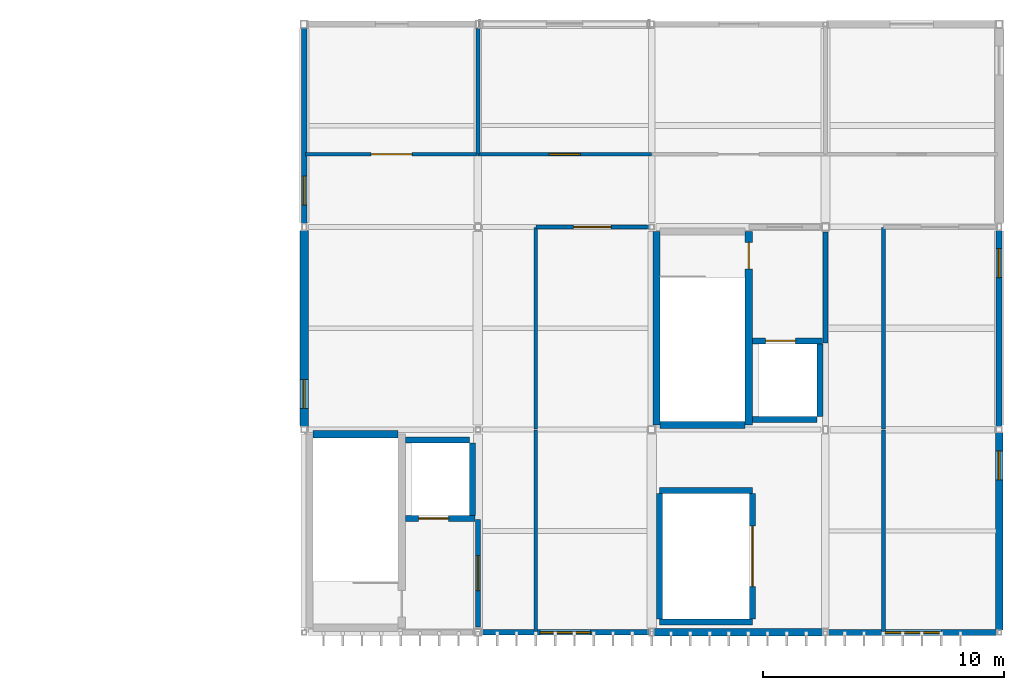
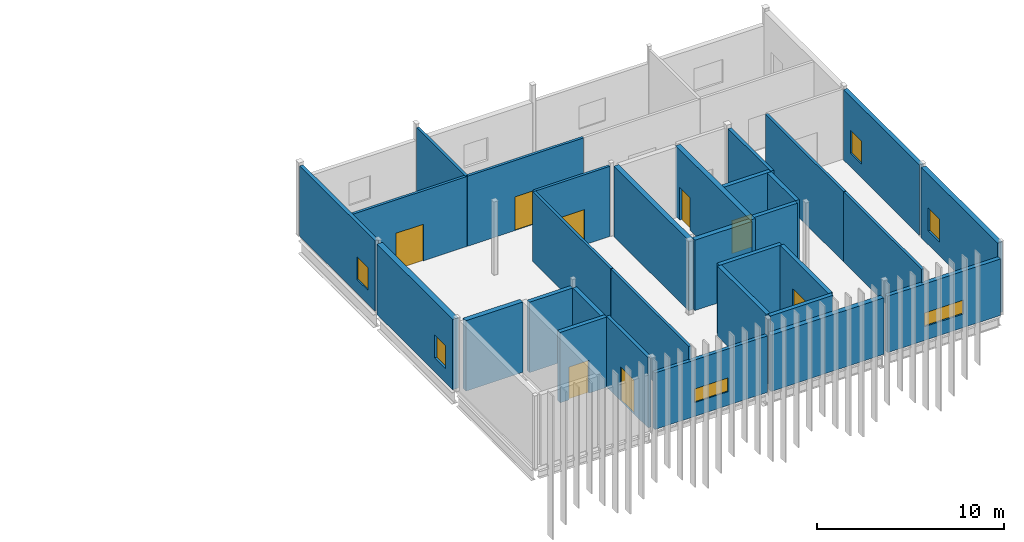
# One storey, part 21 of 27: 31 walls, 8 doors, 6 windows, 14 openings.
"""IFC4 building model written with IfcOpenShell, lengths in metres."""

from ifc_helpers import new_model, si_unit, direction, frame, frame_2d, origin, place, context, subcontext, project, spatial, rectangle, extrude, material, layer, layer_set, type_object, element, fill, save


model = new_model("IFC4")

# Units and contexts
model_context = context("Model", 3, precision=1e-05, world=origin(), true_north=direction((0.0, 1.0)))
body_context = subcontext(model_context, "Body", "Model", "MODEL_VIEW")
ifc_project = project(units=[si_unit("LENGTHUNIT", "METRE"), si_unit("AREAUNIT", "SQUARE_METRE"), si_unit("VOLUMEUNIT", "CUBIC_METRE"), si_unit("PLANEANGLEUNIT", "RADIAN"), si_unit("MASSUNIT", "GRAM", prefix="KILO")], contexts=[model_context])

# Site, building, storey
site_placement = place(None, origin())
site = spatial("IfcSite", under=ifc_project, at=site_placement, CompositionType="ELEMENT")
building_placement = place(site_placement, origin())
building = spatial("IfcBuilding", under=site, at=building_placement, Name="Calvrana Isthmian Art Gallery", CompositionType="ELEMENT")
storey_placement = place(building_placement, frame((0.0, 0.0, 24.60009765625)))
storey = spatial("IfcBuildingStorey", under=building, at=storey_placement, Name="L05", CompositionType="ELEMENT", Elevation=24.60009765625)

# Walls
ifc_material_1 = material(Name="Concrete C40/50", Category="concrete")
ifc_layer_1 = layer(ifc_material_1, 0.300048828125, Name="Concrete C40/50")
ifc_layer_set_1 = layer_set([ifc_layer_1], Name="Concrete C40/50")
wall_type_1 = type_object("IfcWallType", Name="CW-SHAFT-300", PredefinedType="SHEAR", material=ifc_layer_set_1)
wall_1_placement = place(storey_placement, frame((113.169921875, 29.81005859375, 0.0), z_axis=(0.0, 0.0, 1.0), x_axis=(1.0, 0.0, 0.0)))
element("IfcWall", 1, at=wall_1_placement, inside=storey, type_object=wall_type_1, Name="Core C3 shear wall N L05", PredefinedType="SHEAR", context=body_context, shape_type="SweptSolid", body=[
    extrude(rectangle(XDim=3.52001953125, YDim=0.300048828125, at=frame_2d((1.760009765625, 0.0))), origin(), (0.0, 0.0, 1.0), 4.599853515625),
])
wall_2_placement = place(storey_placement, frame((127.39990234375, 30.18994140625, 0.0), z_axis=(0.0, 0.0, 1.0), x_axis=(0.0, 1.0, 0.0)))
element("IfcWall", 2, at=wall_2_placement, inside=storey, type_object=wall_type_1, Name="Core C4 shear wall W L05", PredefinedType="SHEAR", context=body_context, shape_type="SweptSolid", body=[
    extrude(rectangle(XDim=8.02001953125, YDim=0.300048828125, at=frame_2d((4.010009765625, 0.0))), origin(), (0.0, 0.0, 1.0), 4.599853515625),
])

# Wall, opening, door
wall_3_placement = place(storey_placement, frame((131.219970703125, 30.18994140625, 0.0), z_axis=(0.0, 0.0, 1.0), x_axis=(0.0, 1.0, 0.0)))
wall_3 = element("IfcWall", 3, at=wall_3_placement, inside=storey, type_object=wall_type_1, Name="Core C4 shear wall E L05", PredefinedType="SHEAR", context=body_context, shape_type="SweptSolid", body=[
    extrude(rectangle(XDim=8.02001953125, YDim=0.300048828125, at=frame_2d((4.010009765625, 0.0))), origin(), (0.0, 0.0, 1.0), 4.599853515625),
])
opening_1_placement = place(wall_3_placement, frame((6.469970703125, 0.0, 0.0)))
opening_1 = element("IfcOpeningElement", 4, at=opening_1_placement, cuts=wall_3, Name="Opening D-154", PredefinedType="OPENING", context=body_context, shape_type="SweptSolid", body=[
    extrude(rectangle(XDim=1.10009765625, YDim=2.14990234375, at=frame_2d((0.550048828125, 1.074951171875))), frame((0.0, 0.16015625, 0.0), z_axis=(0.0, -1.0, 0.0), x_axis=(1.0, 0.0, 0.0)), (0.0, 0.0, 1.0), 0.320556640625),
])
ifc_material_2 = material(Name="Steel ASTM A572 Gr 50", Category="steel")
door_type_1 = type_object("IfcDoorType", Name="DR-FIRE-1100", OperationType="NOTDEFINED", PredefinedType="DOOR", material=ifc_material_2)
door_1_placement = place(opening_1_placement, origin())
door_1 = element("IfcDoor", 5, at=door_1_placement, inside=storey, type_object=door_type_1, Name="Stair ST-4 fire door L05", OperationType="SINGLE_SWING_RIGHT", OverallHeight=2.14990234375, OverallWidth=1.10009765625, PredefinedType="DOOR", context=body_context, shape_type="SweptSolid", body=[
    extrude(rectangle(XDim=1.10009765625, YDim=2.14990234375, at=frame_2d((0.550048828125, 1.074951171875))), frame((0.0, 0.02490234375, 0.0), z_axis=(0.0, -1.0, 0.0), x_axis=(1.0, 0.0, 0.0)), (0.0, 0.0, 1.0), 0.050048828125),
])
fill(opening_1, door_1)

# Wall
wall_4_placement = place(storey_placement, frame((127.550048828125, 30.18994140625, 0.0), z_axis=(0.0, 0.0, 1.0), x_axis=(1.0, 0.0, 0.0)))
element("IfcWall", 6, at=wall_4_placement, inside=storey, type_object=wall_type_1, Name="Core C4 shear wall S L05", PredefinedType="SHEAR", context=body_context, shape_type="SweptSolid", body=[
    extrude(rectangle(XDim=3.52001953125, YDim=0.300048828125, at=frame_2d((1.760009765625, 0.0))), origin(), (0.0, 0.0, 1.0), 4.599853515625),
])

# Wall, opening, window
ifc_material_3 = material(Name="Precast concrete C40/50", Category="concrete")
ifc_layer_2 = layer(ifc_material_3, 0.219970703125, Name="Precast concrete C40/50")
ifc_layer_set_2 = layer_set([ifc_layer_2], Name="Precast concrete C40/50")
wall_type_2 = type_object("IfcWallType", Name="EW-ACOUST-220", PredefinedType="SOLIDWALL", material=ifc_layer_set_2)
wall_5_placement = place(storey_placement, frame((127.098388671875, 21.60009765625, 0.0), z_axis=(0.0, 0.0, 1.0), x_axis=(-1.0, 0.0, 0.0)))
wall_5 = element("IfcWall", 7, at=wall_5_placement, inside=storey, type_object=wall_type_2, Name="Exterior wall EW-210", PredefinedType="SOLIDWALL", context=body_context, shape_type="SweptSolid", body=[
    extrude(rectangle(XDim=6.946044921875, YDim=0.219970703125, at=frame_2d((3.47314453125, 0.0))), origin(), (0.0, 0.0, 1.0), 3.69482421875),
])
opening_2_placement = place(wall_5_placement, frame((2.423095703125, 0.0, 0.89990234375)))
opening_2 = element("IfcOpeningElement", 8, at=opening_2_placement, cuts=wall_5, Name="Opening W-157", PredefinedType="OPENING", context=body_context, shape_type="SweptSolid", body=[
    extrude(rectangle(XDim=2.10009765625, YDim=0.89990234375, at=frame_2d((1.050048828125, 0.449951171875))), frame((0.0, 0.1201171875, 0.0), z_axis=(0.0, -1.0, 0.0), x_axis=(1.0, 0.0, 0.0)), (0.0, 0.0, 1.0), 0.240478515625),
])
ifc_material_4 = material(Name="Low-E laminated solar glass", Category="glass")
window_type_1 = type_object("IfcWindowType", Name="WN-C02", PartitioningType="DOUBLE_PANEL_VERTICAL", PredefinedType="WINDOW", material=ifc_material_4)
window_1_placement = place(opening_2_placement, origin())
window_1 = element("IfcWindow", 9, at=window_1_placement, inside=storey, type_object=window_type_1, Name="Facade window W-157", OverallHeight=0.89990234375, OverallWidth=2.10009765625, PartitioningType="SINGLE_PANEL", PredefinedType="WINDOW", context=body_context, shape_type="SweptSolid", body=[
    extrude(rectangle(XDim=2.10009765625, YDim=0.89990234375, at=frame_2d((1.050048828125, 0.449951171875))), frame((0.0, 0.030029296875, 0.0), z_axis=(0.0, -1.0, 0.0), x_axis=(1.0, 0.0, 0.0)), (0.0, 0.0, 1.0), 0.06005859375),
])
fill(opening_2, window_1)

wall_6_placement = place(storey_placement, frame((112.800048828125, 38.552490234375, 0.0), z_axis=(0.0, 0.0, 1.0), x_axis=(0.0, 1.0, 0.0)))
wall_6 = element("IfcWall", 10, at=wall_6_placement, inside=storey, type_object=wall_type_2, Name="Exterior wall EW-230", PredefinedType="SOLIDWALL", context=body_context, shape_type="SweptSolid", body=[
    extrude(rectangle(XDim=8.09521484375, YDim=0.219970703125, at=frame_2d((4.047607421875, 0.0))), origin(), (0.0, 0.0, 1.0), 4.599853515625),
])
opening_3_placement = place(wall_6_placement, frame((0.75, 0.0, 0.89990234375)))
opening_3 = element("IfcOpeningElement", 11, at=opening_3_placement, cuts=wall_6, Name="Opening W-175", PredefinedType="OPENING", context=body_context, shape_type="SweptSolid", body=[
    extrude(rectangle(XDim=1.199951171875, YDim=1.5, at=frame_2d((0.60009765625, 0.75))), frame((0.0, 0.1201171875, 0.0), z_axis=(0.0, -1.0, 0.0), x_axis=(1.0, 0.0, 0.0)), (0.0, 0.0, 1.0), 0.240478515625),
])
window_type_2 = type_object("IfcWindowType", Name="WN-G01", PartitioningType="SINGLE_PANEL", PredefinedType="WINDOW", material=ifc_material_4)
window_2_placement = place(opening_3_placement, origin())
window_2 = element("IfcWindow", 12, at=window_2_placement, inside=storey, type_object=window_type_2, Name="Facade window W-175", OverallHeight=1.5, OverallWidth=1.199951171875, PartitioningType="SINGLE_PANEL", PredefinedType="WINDOW", context=body_context, shape_type="SweptSolid", body=[
    extrude(rectangle(XDim=1.199951171875, YDim=1.5, at=frame_2d((0.60009765625, 0.75))), frame((0.0, 0.030029296875, 0.0), z_axis=(0.0, -1.0, 0.0), x_axis=(1.0, 0.0, 0.0)), (0.0, 0.0, 1.0), 0.06005859375),
])
fill(opening_3, window_2)

# Wall
ifc_material_5 = material(Name="Pale Isthmian limestone", Category="masonry")
ifc_layer_3 = layer(ifc_material_5, 0.300048828125, Name="Pale Isthmian limestone")
ifc_layer_set_3 = layer_set([ifc_layer_3], Name="Pale Isthmian limestone")
wall_type_3 = type_object("IfcWallType", Name="EW-LIME-300", PredefinedType="SOLIDWALL", material=ifc_layer_set_3)
wall_7_placement = place(storey_placement, frame((134.27294921875, 21.60009765625, 0.0), z_axis=(0.0, 0.0, 1.0), x_axis=(-1.0, 0.0, 0.0)))
element("IfcWall", 13, at=wall_7_placement, inside=storey, type_object=wall_type_3, Name="Exterior wall EW-211", PredefinedType="SOLIDWALL", context=body_context, shape_type="SweptSolid", body=[
    extrude(rectangle(XDim=6.971435546875, YDim=0.300048828125, at=frame_2d((3.48583984375, 0.0))), origin(), (0.0, 0.0, 1.0), 3.69482421875),
])

# Wall, opening, window
wall_8_placement = place(storey_placement, frame((141.60009765625, 29.873046875, 0.0), z_axis=(0.0, 0.0, 1.0), x_axis=(0.0, -1.0, 0.0)))
wall_8 = element("IfcWall", 14, at=wall_8_placement, inside=storey, type_object=wall_type_3, Name="Exterior wall EW-231", PredefinedType="SOLIDWALL", context=body_context, shape_type="SweptSolid", body=[
    extrude(rectangle(XDim=8.17138671875, YDim=0.300048828125, at=frame_2d((4.085693359375, 0.0))), origin(), (0.0, 0.0, 1.0), 4.599853515625),
])
opening_4_placement = place(wall_8_placement, frame((0.75, 0.0, 0.89990234375)))
opening_4 = element("IfcOpeningElement", 15, at=opening_4_placement, cuts=wall_8, Name="Opening W-176", PredefinedType="OPENING", context=body_context, shape_type="SweptSolid", body=[
    extrude(rectangle(XDim=1.199951171875, YDim=1.5, at=frame_2d((0.60009765625, 0.75))), frame((0.0, 0.16015625, 0.0), z_axis=(0.0, -1.0, 0.0), x_axis=(1.0, 0.0, 0.0)), (0.0, 0.0, 1.0), 0.320556640625),
])
window_3_placement = place(opening_4_placement, origin())
window_3 = element("IfcWindow", 16, at=window_3_placement, inside=storey, type_object=window_type_2, Name="Facade window W-176", OverallHeight=1.5, OverallWidth=1.199951171875, PartitioningType="SINGLE_PANEL", PredefinedType="WINDOW", context=body_context, shape_type="SweptSolid", body=[
    extrude(rectangle(XDim=1.199951171875, YDim=1.5, at=frame_2d((0.60009765625, 0.75))), frame((0.0, 0.030029296875, 0.0), z_axis=(0.0, -1.0, 0.0), x_axis=(1.0, 0.0, 0.0)), (0.0, 0.0, 1.0), 0.06005859375),
])
fill(opening_4, window_3)

ifc_layer_4 = layer(ifc_material_3, 0.35009765625, Name="Precast concrete C40/50")
ifc_layer_set_4 = layer_set([ifc_layer_4], Name="Precast concrete C40/50")
wall_type_4 = type_object("IfcWallType", Name="EW-PREC-350", PredefinedType="SOLIDWALL", material=ifc_layer_set_4)
wall_9_placement = place(storey_placement, frame((112.800048828125, 30.126953125, 0.0), z_axis=(0.0, 0.0, 1.0), x_axis=(0.0, 1.0, 0.0)))
wall_9 = element("IfcWall", 17, at=wall_9_placement, inside=storey, type_object=wall_type_4, Name="Exterior wall EW-229", PredefinedType="SOLIDWALL", context=body_context, shape_type="SweptSolid", body=[
    extrude(rectangle(XDim=8.12060546875, YDim=0.35009765625, at=frame_2d((4.060302734375, 0.0))), origin(), (0.0, 0.0, 1.0), 4.599853515625),
])
opening_5_placement = place(wall_9_placement, frame((0.75, 0.0, 0.89990234375)))
opening_5 = element("IfcOpeningElement", 18, at=opening_5_placement, cuts=wall_9, Name="Opening W-174", PredefinedType="OPENING", context=body_context, shape_type="SweptSolid", body=[
    extrude(rectangle(XDim=1.199951171875, YDim=1.5, at=frame_2d((0.60009765625, 0.75))), frame((0.0, 0.185302734375, 0.0), z_axis=(0.0, -1.0, 0.0), x_axis=(1.0, 0.0, 0.0)), (0.0, 0.0, 1.0), 0.37060546875),
])
window_4_placement = place(opening_5_placement, origin())
window_4 = element("IfcWindow", 19, at=window_4_placement, inside=storey, type_object=window_type_2, Name="Facade window W-174", OverallHeight=1.5, OverallWidth=1.199951171875, PartitioningType="SINGLE_PANEL", PredefinedType="WINDOW", context=body_context, shape_type="SweptSolid", body=[
    extrude(rectangle(XDim=1.199951171875, YDim=1.5, at=frame_2d((0.60009765625, 0.75))), frame((0.0, 0.030029296875, 0.0), z_axis=(0.0, -1.0, 0.0), x_axis=(1.0, 0.0, 0.0)), (0.0, 0.0, 1.0), 0.06005859375),
])
fill(opening_5, window_4)

ifc_material_6 = material(Name="Polychrome glazed terracotta", Category="masonry")
ifc_layer_5 = layer(ifc_material_6, 0.25, Name="Polychrome glazed terracotta")
ifc_layer_set_5 = layer_set([ifc_layer_5], Name="Polychrome glazed terracotta")
wall_type_5 = type_object("IfcWallType", Name="EW-TERRA-250", PredefinedType="SOLIDWALL", material=ifc_layer_set_5)
wall_10_placement = place(storey_placement, frame((141.498291015625, 21.60009765625, 0.0), z_axis=(0.0, 0.0, 1.0), x_axis=(-1.0, 0.0, 0.0)))
wall_10 = element("IfcWall", 20, at=wall_10_placement, inside=storey, type_object=wall_type_5, Name="Exterior wall EW-212", PredefinedType="SOLIDWALL", context=body_context, shape_type="SweptSolid", body=[
    extrude(rectangle(XDim=6.97119140625, YDim=0.25, at=frame_2d((3.485595703125, 0.0))), origin(), (0.0, 0.0, 1.0), 3.69482421875),
])
opening_6_placement = place(wall_10_placement, frame((2.28564453125, 0.0, 0.89990234375)))
opening_6 = element("IfcOpeningElement", 21, at=opening_6_placement, cuts=wall_10, Name="Opening W-158", PredefinedType="OPENING", context=body_context, shape_type="SweptSolid", body=[
    extrude(rectangle(XDim=2.39990234375, YDim=0.89990234375, at=frame_2d((1.199951171875, 0.449951171875))), frame((0.0, 0.13525390625, 0.0), z_axis=(0.0, -1.0, 0.0), x_axis=(1.0, 0.0, 0.0)), (0.0, 0.0, 1.0), 0.2705078125),
])
window_type_3 = type_object("IfcWindowType", Name="WN-C03", PartitioningType="DOUBLE_PANEL_VERTICAL", PredefinedType="WINDOW", material=ifc_material_4)
window_5_placement = place(opening_6_placement, origin())
window_5 = element("IfcWindow", 22, at=window_5_placement, inside=storey, type_object=window_type_3, Name="Facade window W-158", OverallHeight=0.89990234375, OverallWidth=2.39990234375, PartitioningType="SINGLE_PANEL", PredefinedType="WINDOW", context=body_context, shape_type="SweptSolid", body=[
    extrude(rectangle(XDim=2.39990234375, YDim=0.89990234375, at=frame_2d((1.199951171875, 0.449951171875))), frame((0.0, 0.030029296875, 0.0), z_axis=(0.0, -1.0, 0.0), x_axis=(1.0, 0.0, 0.0)), (0.0, 0.0, 1.0), 0.06005859375),
])
fill(opening_6, window_5)

wall_11_placement = place(storey_placement, frame((141.60009765625, 38.24755859375, 0.0), z_axis=(0.0, 0.0, 1.0), x_axis=(0.0, -1.0, 0.0)))
wall_11 = element("IfcWall", 23, at=wall_11_placement, inside=storey, type_object=wall_type_5, Name="Exterior wall EW-232", PredefinedType="SOLIDWALL", context=body_context, shape_type="SweptSolid", body=[
    extrude(rectangle(XDim=8.12060546875, YDim=0.25, at=frame_2d((4.060302734375, 0.0))), origin(), (0.0, 0.0, 1.0), 4.599853515625),
])
opening_7_placement = place(wall_11_placement, frame((0.75, 0.0, 0.89990234375)))
opening_7 = element("IfcOpeningElement", 24, at=opening_7_placement, cuts=wall_11, Name="Opening W-177", PredefinedType="OPENING", context=body_context, shape_type="SweptSolid", body=[
    extrude(rectangle(XDim=1.199951171875, YDim=1.5, at=frame_2d((0.60009765625, 0.75))), frame((0.0, 0.13525390625, 0.0), z_axis=(0.0, -1.0, 0.0), x_axis=(1.0, 0.0, 0.0)), (0.0, 0.0, 1.0), 0.2705078125),
])
window_6_placement = place(opening_7_placement, origin())
window_6 = element("IfcWindow", 25, at=window_6_placement, inside=storey, type_object=window_type_2, Name="Facade window W-177", OverallHeight=1.5, OverallWidth=1.199951171875, PartitioningType="SINGLE_PANEL", PredefinedType="WINDOW", context=body_context, shape_type="SweptSolid", body=[
    extrude(rectangle(XDim=1.199951171875, YDim=1.5, at=frame_2d((0.60009765625, 0.75))), frame((0.0, 0.030029296875, 0.0), z_axis=(0.0, -1.0, 0.0), x_axis=(1.0, 0.0, 0.0)), (0.0, 0.0, 1.0), 0.06005859375),
])
fill(opening_7, window_6)

# Wall, opening, door
ifc_material_7 = material(Name="Acoustic gypsum ceiling", Category="gypsum")
ifc_layer_6 = layer(ifc_material_7, 0.199951171875, Name="Acoustic gypsum ceiling")
ifc_layer_set_6 = layer_set([ifc_layer_6], Name="Acoustic gypsum ceiling")
wall_type_6 = type_object("IfcWallType", Name="PW-FIRE-200", PredefinedType="PARTITIONING", material=ifc_layer_set_6)
wall_12_placement = place(storey_placement, frame((120.0, 21.820068359375, 0.0), z_axis=(0.0, 0.0, 1.0), x_axis=(0.0, 1.0, 0.0)))
wall_12 = element("IfcWall", 26, at=wall_12_placement, inside=storey, type_object=wall_type_6, Name="Core C3 lobby enclosure L05", PredefinedType="PARTITIONING", context=body_context, shape_type="SweptSolid", body=[
    extrude(rectangle(XDim=4.4599609375, YDim=0.199951171875, at=frame_2d((2.22998046875, 0.0))), origin(), (0.0, 0.0, 1.0), 4.599853515625),
])
opening_8_placement = place(wall_12_placement, frame((1.5048828125, 0.0, 0.0)))
opening_8 = element("IfcOpeningElement", 27, at=opening_8_placement, cuts=wall_12, Name="Opening D-141", PredefinedType="OPENING", context=body_context, shape_type="SweptSolid", body=[
    extrude(rectangle(XDim=1.449951171875, YDim=2.199951171875, at=frame_2d((0.72509765625, 1.10009765625))), frame((0.0, 0.1103515625, 0.0), z_axis=(0.0, -1.0, 0.0), x_axis=(1.0, 0.0, 0.0)), (0.0, 0.0, 1.0), 0.220458984375),
])
door_type_2 = type_object("IfcDoorType", Name="DR-LOBBY-1450", OperationType="DOUBLE_DOOR_SINGLE_SWING", PredefinedType="DOOR", material=ifc_material_2)
door_2_placement = place(opening_8_placement, origin())
door_2 = element("IfcDoor", 28, at=door_2_placement, inside=storey, type_object=door_type_2, Name="Core C3 lobby fire door L05", OperationType="DOUBLE_DOOR_SINGLE_SWING", OverallHeight=2.199951171875, OverallWidth=1.449951171875, PredefinedType="DOOR", context=body_context, shape_type="SweptSolid", body=[
    extrude(rectangle(XDim=1.449951171875, YDim=2.199951171875, at=frame_2d((0.72509765625, 1.10009765625))), frame((0.0, 0.02490234375, 0.0), z_axis=(0.0, -1.0, 0.0), x_axis=(1.0, 0.0, 0.0)), (0.0, 0.0, 1.0), 0.050048828125),
])
fill(opening_8, door_2)

# Walls
wall_13_placement = place(storey_placement, frame((134.39990234375, 33.60009765625, 0.0), z_axis=(0.0, 0.0, 1.0), x_axis=(0.0, 1.0, 0.0)))
element("IfcWall", 29, at=wall_13_placement, inside=storey, type_object=wall_type_6, Name="Core C4 lobby east closure L05", PredefinedType="PARTITIONING", context=body_context, shape_type="SweptSolid", body=[
    extrude(rectangle(XDim=4.579833984375, YDim=0.199951171875, at=frame_2d((2.2900390625, 0.0))), origin(), (0.0, 0.0, 1.0), 4.599853515625),
])
ifc_layer_7 = layer(ifc_material_7, 0.159912109375, Name="Acoustic gypsum ceiling")
ifc_layer_set_7 = layer_set([ifc_layer_7], Name="Acoustic gypsum ceiling")
wall_type_7 = type_object("IfcWallType", Name="PW-GAL-160", PredefinedType="PARTITIONING", material=ifc_layer_set_7)
wall_14_placement = place(storey_placement, frame((122.39990234375, 21.639892578125, 0.0), z_axis=(0.0, 0.0, 1.0), x_axis=(0.0, 1.0, 0.0)))
element("IfcWall", 30, at=wall_14_placement, inside=storey, type_object=wall_type_7, Name="Interior partition PW-619", PredefinedType="PARTITIONING", context=body_context, shape_type="SweptSolid", body=[
    extrude(rectangle(XDim=8.340087890625, YDim=0.159912109375, at=frame_2d((4.169921875, 0.0))), origin(), (0.0, 0.0, 1.0), 4.579833984375),
])
wall_15_placement = place(storey_placement, frame((122.39990234375, 30.02001953125, 0.0), z_axis=(0.0, 0.0, 1.0), x_axis=(0.0, 1.0, 0.0)))
element("IfcWall", 31, at=wall_15_placement, inside=storey, type_object=wall_type_7, Name="Interior partition PW-620", PredefinedType="PARTITIONING", context=body_context, shape_type="SweptSolid", body=[
    extrude(rectangle(XDim=8.35986328125, YDim=0.159912109375, at=frame_2d((4.179931640625, 0.0))), origin(), (0.0, 0.0, 1.0), 4.579833984375),
])

# Wall, opening, door
wall_16_placement = place(storey_placement, frame((122.39990234375, 38.39990234375, 0.0), z_axis=(0.0, 0.0, 1.0), x_axis=(1.0, 0.0, 0.0)))
wall_16 = element("IfcWall", 32, at=wall_16_placement, inside=storey, type_object=wall_type_7, Name="Interior partition PW-621", PredefinedType="PARTITIONING", context=body_context, shape_type="SweptSolid", body=[
    extrude(rectangle(XDim=4.68359375, YDim=0.159912109375, at=frame_2d((2.341796875, 0.0))), origin(), (0.0, 0.0, 1.0), 4.579833984375),
])
opening_9_placement = place(wall_16_placement, frame((1.566650390625, 0.0, 0.0)))
opening_9 = element("IfcOpeningElement", 33, at=opening_9_placement, cuts=wall_16, Name="Opening D-523", PredefinedType="OPENING", context=body_context, shape_type="SweptSolid", body=[
    extrude(rectangle(XDim=1.550048828125, YDim=2.300048828125, at=frame_2d((0.77490234375, 1.14990234375))), frame((0.0, 0.09033203125, 0.0), z_axis=(0.0, -1.0, 0.0), x_axis=(1.0, 0.0, 0.0)), (0.0, 0.0, 1.0), 0.180419921875),
])
ifc_material_8 = material(Name="Timber gallery flooring", Category="wood")
door_type_3 = type_object("IfcDoorType", Name="DR-AUD-1550", OperationType="DOUBLE_DOOR_SINGLE_SWING", PredefinedType="DOOR", material=ifc_material_8)
door_3_placement = place(opening_9_placement, origin())
door_3 = element("IfcDoor", 34, at=door_3_placement, inside=storey, type_object=door_type_3, Name="Interior door D-523", OperationType="DOUBLE_DOOR_SINGLE_SWING", OverallHeight=2.300048828125, OverallWidth=1.550048828125, PredefinedType="DOOR", context=body_context, shape_type="SweptSolid", body=[
    extrude(rectangle(XDim=1.550048828125, YDim=2.300048828125, at=frame_2d((0.77490234375, 1.14990234375))), frame((0.0, 0.02490234375, 0.0), z_axis=(0.0, -1.0, 0.0), x_axis=(1.0, 0.0, 0.0)), (0.0, 0.0, 1.0), 0.050048828125),
])
fill(opening_9, door_3)

# Walls
wall_17_placement = place(storey_placement, frame((136.800048828125, 21.639892578125, 0.0), z_axis=(0.0, 0.0, 1.0), x_axis=(0.0, 1.0, 0.0)))
element("IfcWall", 35, at=wall_17_placement, inside=storey, type_object=wall_type_7, Name="Interior partition PW-622", PredefinedType="PARTITIONING", context=body_context, shape_type="SweptSolid", body=[
    extrude(rectangle(XDim=8.340087890625, YDim=0.159912109375, at=frame_2d((4.169921875, 0.0))), origin(), (0.0, 0.0, 1.0), 4.579833984375),
])
wall_18_placement = place(storey_placement, frame((136.800048828125, 30.02001953125, 0.0), z_axis=(0.0, 0.0, 1.0), x_axis=(0.0, 1.0, 0.0)))
element("IfcWall", 36, at=wall_18_placement, inside=storey, type_object=wall_type_7, Name="Interior partition PW-623", PredefinedType="PARTITIONING", context=body_context, shape_type="SweptSolid", body=[
    extrude(rectangle(XDim=8.35986328125, YDim=0.159912109375, at=frame_2d((4.179931640625, 0.0))), origin(), (0.0, 0.0, 1.0), 4.579833984375),
])

# Wall, opening, door
wall_19_placement = place(storey_placement, frame((112.860107421875, 41.409912109375, 0.0), z_axis=(0.0, 0.0, 1.0), x_axis=(1.0, 0.0, 0.0)))
wall_19 = element("IfcWall", 37, at=wall_19_placement, inside=storey, type_object=wall_type_7, Name="Interior partition PW-625", PredefinedType="PARTITIONING", context=body_context, shape_type="SweptSolid", body=[
    extrude(rectangle(XDim=7.1298828125, YDim=0.159912109375, at=frame_2d((3.56494140625, 0.0))), origin(), (0.0, 0.0, 1.0), 4.579833984375),
])
opening_10_placement = place(wall_19_placement, frame((2.715087890625, 0.0, 0.0)))
opening_10 = element("IfcOpeningElement", 38, at=opening_10_placement, cuts=wall_19, Name="Opening D-525", PredefinedType="OPENING", context=body_context, shape_type="SweptSolid", body=[
    extrude(rectangle(XDim=1.699951171875, YDim=2.39990234375, at=frame_2d((0.85009765625, 1.199951171875))), frame((0.0, 0.09033203125, 0.0), z_axis=(0.0, -1.0, 0.0), x_axis=(1.0, 0.0, 0.0)), (0.0, 0.0, 1.0), 0.180419921875),
])
door_type_4 = type_object("IfcDoorType", Name="DR-GAL-1700", OperationType="DOUBLE_DOOR_SINGLE_SWING", PredefinedType="DOOR", material=ifc_material_8)
door_4_placement = place(opening_10_placement, origin())
door_4 = element("IfcDoor", 39, at=door_4_placement, inside=storey, type_object=door_type_4, Name="Interior door D-525", OperationType="DOUBLE_DOOR_SINGLE_SWING", OverallHeight=2.39990234375, OverallWidth=1.699951171875, PredefinedType="DOOR", context=body_context, shape_type="SweptSolid", body=[
    extrude(rectangle(XDim=1.699951171875, YDim=2.39990234375, at=frame_2d((0.85009765625, 1.199951171875))), frame((0.0, 0.02490234375, 0.0), z_axis=(0.0, -1.0, 0.0), x_axis=(1.0, 0.0, 0.0)), (0.0, 0.0, 1.0), 0.050048828125),
])
fill(opening_10, door_4)

# Wall
wall_20_placement = place(storey_placement, frame((120.0, 41.419921875, 0.0), z_axis=(0.0, 0.0, 1.0), x_axis=(0.0, 1.0, 0.0)))
element("IfcWall", 40, at=wall_20_placement, inside=storey, type_object=wall_type_7, Name="Interior partition PW-626", PredefinedType="PARTITIONING", context=body_context, shape_type="SweptSolid", body=[
    extrude(rectangle(XDim=5.212646484375, YDim=0.159912109375, at=frame_2d((2.6064453125, 0.0))), origin(), (0.0, 0.0, 1.0), 4.579833984375),
])

# Wall, opening, door
wall_21_placement = place(storey_placement, frame((120.010009765625, 41.409912109375, 0.0), z_axis=(0.0, 0.0, 1.0), x_axis=(1.0, 0.0, 0.0)))
wall_21 = element("IfcWall", 41, at=wall_21_placement, inside=storey, type_object=wall_type_7, Name="Interior partition PW-627", PredefinedType="PARTITIONING", context=body_context, shape_type="SweptSolid", body=[
    extrude(rectangle(XDim=7.179931640625, YDim=0.159912109375, at=frame_2d((3.58984375, 0.0))), origin(), (0.0, 0.0, 1.0), 4.579833984375),
])
opening_11_placement = place(wall_21_placement, frame((2.93994140625, 0.0, 0.0)))
opening_11 = element("IfcOpeningElement", 42, at=opening_11_placement, cuts=wall_21, Name="Opening D-526", PredefinedType="OPENING", context=body_context, shape_type="SweptSolid", body=[
    extrude(rectangle(XDim=1.300048828125, YDim=2.199951171875, at=frame_2d((0.64990234375, 1.10009765625))), frame((0.0, 0.09033203125, 0.0), z_axis=(0.0, -1.0, 0.0), x_axis=(1.0, 0.0, 0.0)), (0.0, 0.0, 1.0), 0.180419921875),
])
door_type_5 = type_object("IfcDoorType", Name="DR-RM-1300", OperationType="NOTDEFINED", PredefinedType="DOOR", material=ifc_material_8)
door_5_placement = place(opening_11_placement, origin())
door_5 = element("IfcDoor", 43, at=door_5_placement, inside=storey, type_object=door_type_5, Name="Interior door D-526", OperationType="SINGLE_SWING_LEFT", OverallHeight=2.199951171875, OverallWidth=1.300048828125, PredefinedType="DOOR", context=body_context, shape_type="SweptSolid", body=[
    extrude(rectangle(XDim=1.300048828125, YDim=2.199951171875, at=frame_2d((0.64990234375, 1.10009765625))), frame((0.0, 0.02490234375, 0.0), z_axis=(0.0, -1.0, 0.0), x_axis=(1.0, 0.0, 0.0)), (0.0, 0.0, 1.0), 0.050048828125),
])
fill(opening_11, door_5)

# Walls
ifc_material_9 = material(Name="Concrete C35/45", Category="concrete")
ifc_layer_8 = layer(ifc_material_9, 0.25, Name="Concrete C35/45")
ifc_layer_set_8 = layer_set([ifc_layer_8], Name="Concrete C35/45")
wall_type_8 = type_object("IfcWallType", Name="PW-SHAFT-250", PredefinedType="PARTITIONING", material=ifc_layer_set_8)
wall_22_placement = place(storey_placement, frame((116.989990234375, 29.580078125, 0.0), z_axis=(0.0, 0.0, 1.0), x_axis=(1.0, 0.0, 0.0)))
element("IfcWall", 44, at=wall_22_placement, inside=storey, type_object=wall_type_8, Name="Lift EL-03 shaft wall N L05", PredefinedType="PARTITIONING", context=body_context, shape_type="SweptSolid", body=[
    extrude(rectangle(XDim=2.659912109375, YDim=0.25, at=frame_2d((1.330078125, 0.0))), origin(), (0.0, 0.0, 1.0), 4.599853515625),
])
wall_23_placement = place(storey_placement, frame((119.780029296875, 26.449951171875, 0.0), z_axis=(0.0, 0.0, 1.0), x_axis=(0.0, 1.0, 0.0)))
element("IfcWall", 45, at=wall_23_placement, inside=storey, type_object=wall_type_8, Name="Lift EL-03 shaft wall E L05", PredefinedType="PARTITIONING", context=body_context, shape_type="SweptSolid", body=[
    extrude(rectangle(XDim=3.0, YDim=0.25, at=frame_2d((1.5, 0.0))), origin(), (0.0, 0.0, 1.0), 4.599853515625),
])

# Wall, opening, door
wall_24_placement = place(storey_placement, frame((116.989990234375, 26.320068359375, 0.0), z_axis=(0.0, 0.0, 1.0), x_axis=(1.0, 0.0, 0.0)))
wall_24 = element("IfcWall", 46, at=wall_24_placement, inside=storey, type_object=wall_type_8, Name="Lift EL-03 shaft wall S L05", PredefinedType="PARTITIONING", context=body_context, shape_type="SweptSolid", body=[
    extrude(rectangle(XDim=2.889892578125, YDim=0.25, at=frame_2d((1.44482421875, 0.0))), origin(), (0.0, 0.0, 1.0), 4.599853515625),
])
opening_12_placement = place(wall_24_placement, frame((0.550048828125, 0.0, 0.0)))
opening_12 = element("IfcOpeningElement", 47, at=opening_12_placement, cuts=wall_24, Name="Opening LD-03-L05", PredefinedType="OPENING", context=body_context, shape_type="SweptSolid", body=[
    extrude(rectangle(XDim=1.25, YDim=2.14990234375, at=frame_2d((0.625, 1.074951171875))), frame((0.0, 0.13525390625, 0.0), z_axis=(0.0, -1.0, 0.0), x_axis=(1.0, 0.0, 0.0)), (0.0, 0.0, 1.0), 0.2705078125),
])
ifc_material_10 = material(Name="Stainless steel 316", Category="steel")
door_type_6 = type_object("IfcDoorType", Name="DR-LIFT-1250", OperationType="DOUBLE_DOOR_SLIDING", PredefinedType="DOOR", material=ifc_material_10)
door_6_placement = place(opening_12_placement, origin())
door_6 = element("IfcDoor", 48, at=door_6_placement, inside=storey, type_object=door_type_6, Name="Lift EL-03 sliding landing door L05", OperationType="DOUBLE_DOOR_SLIDING", OverallHeight=2.14990234375, OverallWidth=1.25, PredefinedType="DOOR", context=body_context, shape_type="SweptSolid", body=[
    extrude(rectangle(XDim=1.25, YDim=2.14990234375, at=frame_2d((0.625, 1.074951171875))), frame((0.0, 0.02490234375, 0.0), z_axis=(0.0, -1.0, 0.0), x_axis=(1.0, 0.0, 0.0)), (0.0, 0.0, 1.0), 0.050048828125),
])
fill(opening_12, door_6)

# Walls
wall_25_placement = place(storey_placement, frame((131.3701171875, 30.419921875, 0.0), z_axis=(0.0, 0.0, 1.0), x_axis=(1.0, 0.0, 0.0)))
element("IfcWall", 49, at=wall_25_placement, inside=storey, type_object=wall_type_8, Name="Lift EL-04 shaft wall S L05", PredefinedType="PARTITIONING", context=body_context, shape_type="SweptSolid", body=[
    extrude(rectangle(XDim=2.679931640625, YDim=0.25, at=frame_2d((1.33984375, 0.0))), origin(), (0.0, 0.0, 1.0), 4.599853515625),
])
wall_26_placement = place(storey_placement, frame((134.179931640625, 30.550048828125, 0.0), z_axis=(0.0, 0.0, 1.0), x_axis=(0.0, 1.0, 0.0)))
element("IfcWall", 50, at=wall_26_placement, inside=storey, type_object=wall_type_8, Name="Lift EL-04 shaft wall E L05", PredefinedType="PARTITIONING", context=body_context, shape_type="SweptSolid", body=[
    extrude(rectangle(XDim=3.0, YDim=0.25, at=frame_2d((1.5, 0.0))), origin(), (0.0, 0.0, 1.0), 4.599853515625),
])

# Wall, opening, door
wall_27_placement = place(storey_placement, frame((131.3701171875, 33.679931640625, 0.0), z_axis=(0.0, 0.0, 1.0), x_axis=(1.0, 0.0, 0.0)))
wall_27 = element("IfcWall", 51, at=wall_27_placement, inside=storey, type_object=wall_type_8, Name="Lift EL-04 shaft wall N L05", PredefinedType="PARTITIONING", context=body_context, shape_type="SweptSolid", body=[
    extrude(rectangle(XDim=2.909912109375, YDim=0.25, at=frame_2d((1.455078125, 0.0))), origin(), (0.0, 0.0, 1.0), 4.599853515625),
])
opening_13_placement = place(wall_27_placement, frame((0.550048828125, 0.0, 0.0)))
opening_13 = element("IfcOpeningElement", 52, at=opening_13_placement, cuts=wall_27, Name="Opening LD-04-L05", PredefinedType="OPENING", context=body_context, shape_type="SweptSolid", body=[
    extrude(rectangle(XDim=1.25, YDim=2.14990234375, at=frame_2d((0.625, 1.074951171875))), frame((0.0, 0.13525390625, 0.0), z_axis=(0.0, -1.0, 0.0), x_axis=(1.0, 0.0, 0.0)), (0.0, 0.0, 1.0), 0.2705078125),
])
door_7_placement = place(opening_13_placement, origin())
door_7 = element("IfcDoor", 53, at=door_7_placement, inside=storey, type_object=door_type_6, Name="Lift EL-04 sliding landing door L05", OperationType="DOUBLE_DOOR_SLIDING", OverallHeight=2.14990234375, OverallWidth=1.25, PredefinedType="DOOR", context=body_context, shape_type="SweptSolid", body=[
    extrude(rectangle(XDim=1.25, YDim=2.14990234375, at=frame_2d((0.625, 1.074951171875))), frame((0.0, 0.02490234375, 0.0), z_axis=(0.0, -1.0, 0.0), x_axis=(1.0, 0.0, 0.0)), (0.0, 0.0, 1.0), 0.050048828125),
])
fill(opening_13, door_7)

# Walls
wall_28_placement = place(storey_placement, frame((127.52001953125, 22.14990234375, 0.0), z_axis=(0.0, 0.0, 1.0), x_axis=(0.0, 1.0, 0.0)))
element("IfcWall", 54, at=wall_28_placement, inside=storey, type_object=wall_type_8, Name="Art goods lift L-G1 shaft W L05", PredefinedType="PARTITIONING", context=body_context, shape_type="SweptSolid", body=[
    extrude(rectangle(XDim=5.2001953125, YDim=0.25, at=frame_2d((2.60009765625, 0.0))), origin(), (0.0, 0.0, 1.0), 4.599853515625),
])
for number, where, z_axis, x_axis, name in (
    (55, (127.52001953125, 27.47998046875, 0.0), (0.0, 0.0, 1.0), (1.0, 0.0, 0.0), "Art goods lift L-G1 shaft N L05"),
    (56, (127.52001953125, 22.02001953125, 0.0), (0.0, 0.0, 1.0), (1.0, 0.0, 0.0), "Art goods lift L-G1 shaft S L05"),
):
    element("IfcWall", number, at=place(storey_placement, frame(where, z_axis=z_axis, x_axis=x_axis)), inside=storey, type_object=wall_type_8, Name=name, PredefinedType="PARTITIONING", context=body_context, shape_type="SweptSolid", body=[
        extrude(rectangle(XDim=3.85986328125, YDim=0.25, at=frame_2d((1.929931640625, 0.0))), origin(), (0.0, 0.0, 1.0), 4.599853515625),
    ])

# Wall, opening, door
wall_29_placement = place(storey_placement, frame((131.3798828125, 22.14990234375, 0.0), z_axis=(0.0, 0.0, 1.0), x_axis=(0.0, 1.0, 0.0)))
wall_29 = element("IfcWall", 57, at=wall_29_placement, inside=storey, type_object=wall_type_8, Name="Art goods lift L-G1 shaft E L05", PredefinedType="PARTITIONING", context=body_context, shape_type="SweptSolid", body=[
    extrude(rectangle(XDim=5.2001953125, YDim=0.25, at=frame_2d((2.60009765625, 0.0))), origin(), (0.0, 0.0, 1.0), 4.599853515625),
])
opening_14_placement = place(wall_29_placement, frame((1.35009765625, 0.0, 0.0)))
opening_14 = element("IfcOpeningElement", 58, at=opening_14_placement, cuts=wall_29, Name="Opening LD-G1-L05", PredefinedType="OPENING", context=body_context, shape_type="SweptSolid", body=[
    extrude(rectangle(XDim=2.5, YDim=2.60009765625, at=frame_2d((1.25, 1.300048828125))), frame((0.0, 0.13525390625, 0.0), z_axis=(0.0, -1.0, 0.0), x_axis=(1.0, 0.0, 0.0)), (0.0, 0.0, 1.0), 0.2705078125),
])
door_type_7 = type_object("IfcDoorType", Name="DR-GLIFT-2500", OperationType="DOUBLE_DOOR_SLIDING", PredefinedType="DOOR", material=ifc_material_10)
door_8_placement = place(opening_14_placement, origin())
door_8 = element("IfcDoor", 59, at=door_8_placement, inside=storey, type_object=door_type_7, Name="Art Goods Lift L-G1 sliding door L05", OperationType="DOUBLE_DOOR_SLIDING", OverallHeight=2.60009765625, OverallWidth=2.5, PredefinedType="DOOR", context=body_context, shape_type="SweptSolid", body=[
    extrude(rectangle(XDim=2.5, YDim=2.60009765625, at=frame_2d((1.25, 1.300048828125))), frame((0.0, 0.02490234375, 0.0), z_axis=(0.0, -1.0, 0.0), x_axis=(1.0, 0.0, 0.0)), (0.0, 0.0, 1.0), 0.050048828125),
])
fill(opening_14, door_8)

save(model, "model.ifc")
